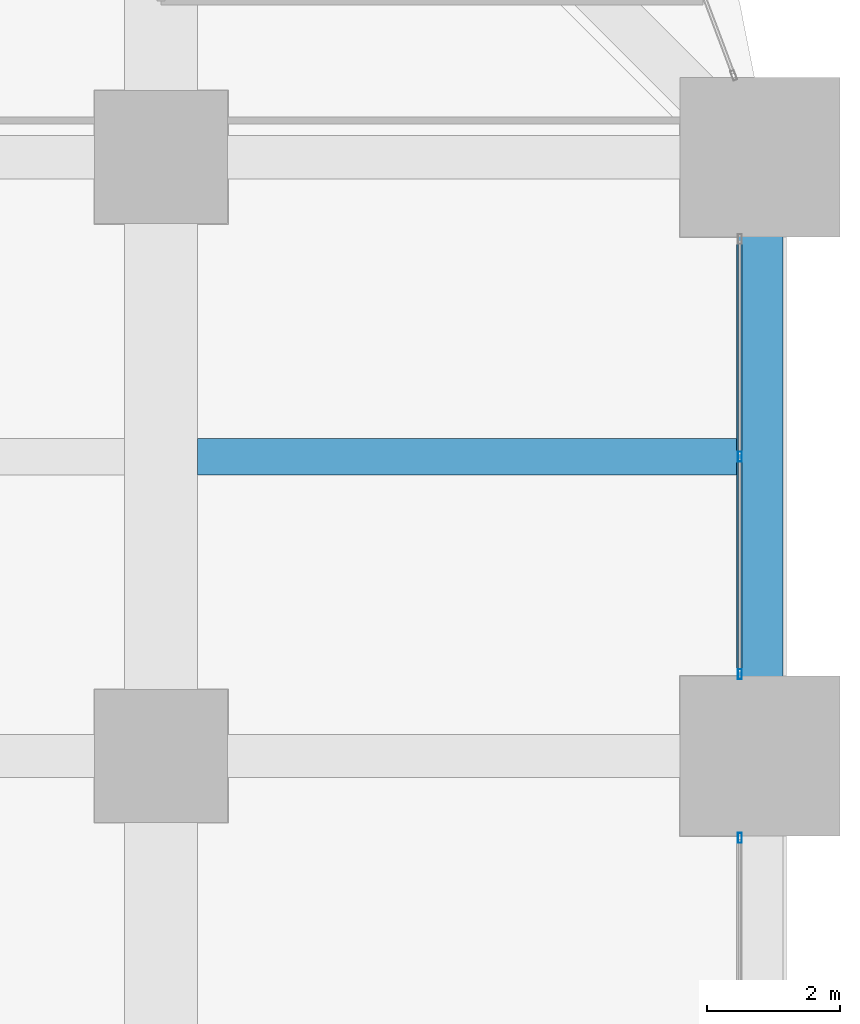
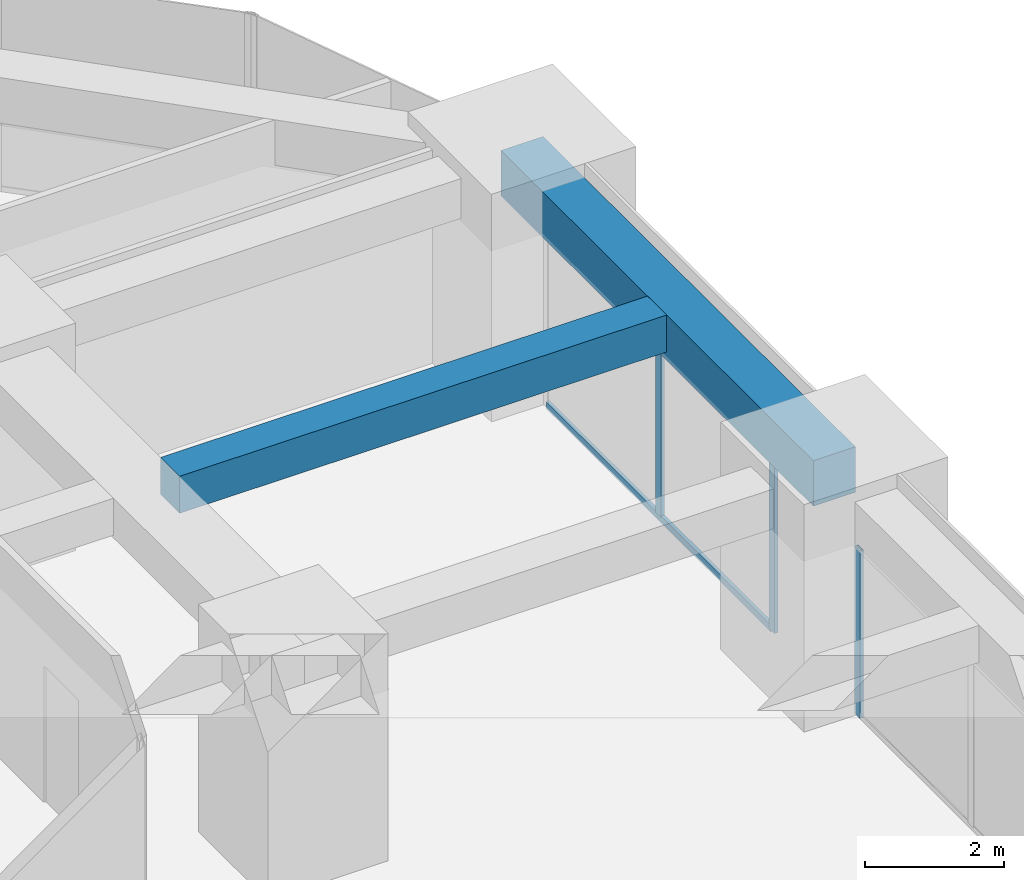
# One storey, part 23 of 41: 4 members, 2 beams, 2 elements without a shape of their own.
"""IFC4 building model written with IfcOpenShell, lengths in metres."""

import ifcopenshell
import ifcopenshell.guid

model = None  # the IFC model being written
_history = None  # IfcOwnerHistory: only IFC2X3 demands one
_inside = {}  # id of a spatial element -> (the spatial element, [elements in it])
_under = {}  # id of a project, library or spatial element -> (it, [spatial elements below it])
_declared = {}  # id of a project -> (the project, [libraries it declares])
_typed = {}  # id of a type object -> (the type object, [elements of that type])
_made_of = {}  # id of a material, layer set ... -> (it, [elements and type objects made of it])


def new_model(schema):
    """Start an empty IFC model of exactly this schema.

    Asked for "IFC4X3", IfcOpenShell would pick the latest addendum, in which some entities
    have other attributes; the version numbers below select the first issue.
    IFC2X3 requires an IfcOwnerHistory on every rooted entity: one is made here for all.
    """
    global model, _history
    if schema == "IFC4X3":
        model = ifcopenshell.file(schema_version=(4, 3, 0, 0))
    else:
        model = ifcopenshell.file(schema=schema)
    _inside.clear()
    _under.clear()
    _declared.clear()
    _typed.clear()
    _made_of.clear()
    _history = None
    if model.schema == "IFC2X3":
        org = make("IfcOrganization", Name="unknown")
        user = make(
            "IfcPersonAndOrganization",
            ThePerson=make("IfcPerson", FamilyName="unknown"),
            TheOrganization=org,
        )
        app = make(
            "IfcApplication",
            ApplicationDeveloper=org,
            Version="unknown",
            ApplicationFullName="unknown",
            ApplicationIdentifier="unknown",
        )
        _history = make(
            "IfcOwnerHistory",
            OwningUser=user,
            OwningApplication=app,
            ChangeAction="ADDED",
            CreationDate=0,
        )
    return model


def make(cls, **values):
    """One entity of the class cls with the attributes given. An attribute that is None is left unset."""
    return model.create_entity(
        cls, **{name: value for name, value in values.items() if value is not None}
    )


def rooted(cls, **values):
    """An entity with a GlobalId (a new one), such as an element, a storey or a relation."""
    return make(cls, GlobalId=ifcopenshell.guid.new(), OwnerHistory=_history, **values)


def si_unit(unit_type, name, prefix=None):
    """IfcSIUnit, for example si_unit("LENGTHUNIT", "METRE", prefix="MILLI")."""
    return make("IfcSIUnit", UnitType=unit_type, Prefix=prefix, Name=name)


def assignment(units):
    """IfcUnitAssignment: the units of a project."""
    return None if units is None else make("IfcUnitAssignment", Units=units)


def point(xyz):
    """IfcCartesianPoint."""
    return None if xyz is None else make("IfcCartesianPoint", Coordinates=xyz)


def direction(xyz):
    """IfcDirection."""
    return None if xyz is None else make("IfcDirection", DirectionRatios=xyz)


def frame(location, z_axis=None, x_axis=None):
    """IfcAxis2Placement3D, a coordinate frame: its origin and axes. An axis left out is left unset."""
    return make(
        "IfcAxis2Placement3D",
        Location=point(location),
        Axis=direction(z_axis),
        RefDirection=direction(x_axis),
    )


def frame_2d(location, x_axis=None):
    """IfcAxis2Placement2D, a coordinate frame in the plane: its origin and x axis."""
    return make(
        "IfcAxis2Placement2D", Location=point(location), RefDirection=direction(x_axis)
    )


def origin():
    """The frame at (0, 0, 0) with its axes left unset."""
    return frame((0.0, 0.0, 0.0))


def origin_2d():
    """The frame at (0, 0) in the plane with its x axis left unset."""
    return frame_2d((0.0, 0.0))


def place(relative_to, where):
    """IfcLocalPlacement: puts the frame where relative to a parent placement (None: the world)."""
    return make(
        "IfcLocalPlacement", PlacementRelTo=relative_to, RelativePlacement=where
    )


def context(
    kind, dimensions, precision=None, world=None, true_north=None, identifier=None
):
    """IfcGeometricRepresentationContext, for example the 3D "Model" context."""
    return make(
        "IfcGeometricRepresentationContext",
        ContextIdentifier=identifier,
        ContextType=kind,
        CoordinateSpaceDimension=dimensions,
        Precision=precision,
        WorldCoordinateSystem=world,
        TrueNorth=true_north,
    )


def subcontext(parent, identifier, kind, view, scale=None):
    """IfcGeometricRepresentationSubContext, for example "Body" below "Model"."""
    return make(
        "IfcGeometricRepresentationSubContext",
        ContextIdentifier=identifier,
        ContextType=kind,
        ParentContext=parent,
        TargetScale=scale,
        TargetView=view,
    )


def project(units=None, contexts=None):
    """IfcProject with its units and contexts."""
    return rooted(
        "IfcProject",
        Name="project",
        RepresentationContexts=contexts,
        UnitsInContext=assignment(units),
    )


def spatial(cls, under=None, at=None, **own):
    """A site, building, storey or space (cls), placed at a placement, below another one or the project."""
    s = rooted(cls, ObjectPlacement=at, **own)
    if under is not None:
        _under.setdefault(under.id(), (under, []))[1].append(s)
    return s


def profile(cls, at=None, kind="AREA", **sizes):
    """A parametric profile (cls). Its sizes go by their IFC names, for example OverallWidth=200.0."""
    return make(cls, ProfileType=kind, Position=at, **sizes)


def rectangle(**sizes):
    """IfcRectangleProfileDef."""
    return profile("IfcRectangleProfileDef", **sizes)


def hollow_rectangle(**sizes):
    """IfcRectangleHollowProfileDef."""
    return profile("IfcRectangleHollowProfileDef", **sizes)


def extrude(swept, where, along, depth):
    """IfcExtrudedAreaSolid: the profile swept, set in the frame where, extruded along a direction by depth."""
    return make(
        "IfcExtrudedAreaSolid",
        SweptArea=swept,
        Position=where,
        ExtrudedDirection=direction(along),
        Depth=depth,
    )


def shape(context_of_items, identifier, shape_type, items):
    """IfcShapeRepresentation: the items that make up one representation, for example the "Body"."""
    return make(
        "IfcShapeRepresentation",
        ContextOfItems=context_of_items,
        RepresentationIdentifier=identifier,
        RepresentationType=shape_type,
        Items=items,
    )


def material(Name=None, Category=None):
    """IfcMaterial."""
    return make("IfcMaterial", Name=Name, Category=Category)


def material_profile(
    of_material, cross_section, Name=None, Category=None, Priority=None
):
    """IfcMaterialProfile: a cross section and its material."""
    return make(
        "IfcMaterialProfile",
        Name=Name,
        Material=of_material,
        Profile=cross_section,
        Priority=Priority,
        Category=Category,
    )


def profile_set(profiles, Name=None, composite=None):
    """IfcMaterialProfileSet."""
    return make(
        "IfcMaterialProfileSet",
        Name=Name,
        MaterialProfiles=profiles,
        CompositeProfile=composite,
    )


def made_of(thing, what):
    """Note that an element or type object is made of a material, layer set ...; save() writes the relation."""
    if what is not None:
        _made_of.setdefault(what.id(), (what, []))[1].append(thing)
    return thing


def type_object(cls, material=None, **own):
    """A type object (cls), such as IfcWallType, which elements share."""
    return made_of(rooted(cls, **own), material)


def element(
    cls,
    number,
    at=None,
    inside=None,
    cuts=None,
    type_object=None,
    material=None,
    context=None,
    identifier="Body",
    shape_type=None,
    held_by="IfcProductDefinitionShape",
    body=None,
    shapes=None,
    **own,
):
    """One element of the class cls, such as IfcWall. Its Tag is "e" and its number.

    at: its placement. inside: the storey or other place that contains it. cuts: it is an
    opening in that element (IfcRelVoidsElement). A single representation is given by context,
    identifier, shape_type and body (its items); several are given by shapes. held_by: the class
    of the entity that holds the representations. save() writes the other relations.
    """
    e = rooted(cls, Tag="e%d" % number, ObjectPlacement=at, **own)
    if body is not None:
        shapes = [shape(context, identifier, shape_type, body)]
    if shapes is not None:
        e.Representation = make(held_by, Representations=shapes)
    if inside is not None:
        _inside.setdefault(inside.id(), (inside, []))[1].append(e)
    if cuts is not None:
        rooted(
            "IfcRelVoidsElement", RelatingBuildingElement=cuts, RelatedOpeningElement=e
        )
    if type_object is not None:
        _typed.setdefault(type_object.id(), (type_object, []))[1].append(e)
    return made_of(e, material)


def aggregate(whole, parts):
    """IfcRelAggregates: a whole, such as a stair, and the parts it consists of."""
    return rooted("IfcRelAggregates", RelatingObject=whole, RelatedObjects=parts)


def save(model, path):
    """Write the relations noted so far, then the file.

    IfcRelAggregates (storeys below a building ...), IfcRelContainedInSpatialStructure (elements
    in a storey), IfcRelDefinesByType, IfcRelAssociatesMaterial and IfcRelDeclares: one each for
    every whole, place, type object, material and project.
    """
    for whole, parts in _under.values():
        aggregate(whole, parts)
    for where, things in _inside.values():
        rooted(
            "IfcRelContainedInSpatialStructure",
            RelatedElements=things,
            RelatingStructure=where,
        )
    for kind, things in _typed.values():
        rooted("IfcRelDefinesByType", RelatedObjects=things, RelatingType=kind)
    for what, things in _made_of.values():
        rooted("IfcRelAssociatesMaterial", RelatedObjects=things, RelatingMaterial=what)
    for by, libraries in _declared.values():
        rooted("IfcRelDeclares", RelatingContext=by, RelatedDefinitions=libraries)
    model.write(path)


model = new_model("IFC4")

# Units and contexts
model_context = context("Model", 3, precision=1e-05, world=origin(), true_north=direction((0.0, 1.0)))
body_context = subcontext(model_context, "Body", "Model", "MODEL_VIEW")
ifc_project = project(units=[si_unit("LENGTHUNIT", "METRE"), si_unit("AREAUNIT", "SQUARE_METRE"), si_unit("VOLUMEUNIT", "CUBIC_METRE"), si_unit("PLANEANGLEUNIT", "RADIAN"), si_unit("MASSUNIT", "GRAM", prefix="KILO")], contexts=[model_context])

# Site, building, storey
site_placement = place(None, origin())
site = spatial("IfcSite", under=ifc_project, at=site_placement, CompositionType="ELEMENT")
building_placement = place(site_placement, origin())
building = spatial("IfcBuilding", under=site, at=building_placement, Name="Zorevar Civic Tower", CompositionType="ELEMENT")
storey_placement = place(building_placement, frame((0.0, 0.0, 101.0)))
storey = spatial("IfcBuildingStorey", under=building, at=storey_placement, Name="L24", CompositionType="ELEMENT", Elevation=101.0)

# Beam
ifc_material_1 = material(Name="Concrete C50/60", Category="concrete")
ifc_material_profile_1 = material_profile(ifc_material_1, rectangle(XDim=0.550048828125, YDim=0.64990234375, at=origin_2d()), Name="RC 550x650")
ifc_profile_set_1 = profile_set([ifc_material_profile_1], Name="Concrete C50/60")
beam_type_1 = type_object("IfcBeamType", Name="Beam RC 550x650", PredefinedType="BEAM", material=ifc_profile_set_1)
beam_1_placement = place(storey_placement, frame((54.550048828125, 31.5, 3.425048828125), z_axis=(1.0, 0.0, 0.0), x_axis=(0.0, 1.0, 0.0)))
element("IfcBeam", 1, at=beam_1_placement, inside=storey, type_object=beam_type_1, Name="Secondary beam L25", PredefinedType="BEAM", context=body_context, shape_type="SweptSolid", body=[
    extrude(rectangle(XDim=0.550048828125, YDim=0.64990234375, at=origin_2d()), origin(), (0.0, 0.0, 1.0), 8.099853515625),
])

# Curtain wall, member
ifc_material_2 = material(Name="Dark grey solar-control glass in black aluminium frame", Category="aluminium")
curtain_wall_type = type_object("IfcCurtainWallType", Name="Curtain wall CW3 mid zone", PredefinedType="NOTDEFINED", material=ifc_material_2)
curtain_wall_1_placement = place(storey_placement, origin())
curtain_wall_1 = element("IfcCurtainWall", 2, at=curtain_wall_1_placement, inside=storey, type_object=curtain_wall_type, Name="CW3 L24", PredefinedType="NOTDEFINED")
ifc_material_3 = material(Name="Aluminium, black anodised", Category="aluminium")
ifc_material_profile_2 = material_profile(ifc_material_3, hollow_rectangle(XDim=0.06005859375, YDim=0.14990234375, WallThickness=0.00390625, at=origin_2d()), Name="AL 150x60x4")
ifc_profile_set_2 = profile_set([ifc_material_profile_2], Name="Aluminium, black anodised")
member_type_1 = type_object("IfcMemberType", Name="CW3 mullion AL 150x60x4", PredefinedType="MULLION", material=ifc_profile_set_2)
member_1_placement = place(storey_placement, frame((62.699951171875, 25.77001953125, 0.0), z_axis=(0.0, 0.0, 1.0), x_axis=(-1.0, 0.0, 0.0)))
member_1 = element("IfcMember", 3, at=member_1_placement, type_object=member_type_1, Name="CW3 mullion 3", PredefinedType="MULLION", context=body_context, shape_type="SweptSolid", body=[
    extrude(hollow_rectangle(XDim=0.06005859375, YDim=0.14990234375, WallThickness=0.00390625, at=origin_2d()), origin(), (0.0, 0.0, 1.0), 2.949951171875),
])
aggregate(curtain_wall_1, [member_1])

# Curtain wall, members
curtain_wall_2_placement = place(storey_placement, origin())
curtain_wall_2 = element("IfcCurtainWall", 4, at=curtain_wall_2_placement, inside=storey, type_object=curtain_wall_type, Name="CW3 L24", PredefinedType="NOTDEFINED")
member_2_placement = place(storey_placement, frame((62.699951171875, 28.22998046875, 0.0), z_axis=(0.0, 0.0, 1.0), x_axis=(-1.0, 0.0, 0.0)))
member_2 = element("IfcMember", 5, at=member_2_placement, type_object=member_type_1, Name="CW3 mullion 1", PredefinedType="MULLION", context=body_context, shape_type="SweptSolid", body=[
    extrude(hollow_rectangle(XDim=0.06005859375, YDim=0.14990234375, WallThickness=0.00390625, at=origin_2d()), origin(), (0.0, 0.0, 1.0), 2.949951171875),
])
member_3_placement = place(storey_placement, frame((62.699951171875, 31.5, 0.06005859375), z_axis=(0.0, 0.0, 1.0), x_axis=(-1.0, 0.0, 0.0)))
member_3 = element("IfcMember", 6, at=member_3_placement, type_object=member_type_1, Name="CW3 mullion 2", PredefinedType="MULLION", context=body_context, shape_type="SweptSolid", body=[
    extrude(hollow_rectangle(XDim=0.06005859375, YDim=0.14990234375, WallThickness=0.00390625, at=origin_2d()), origin(), (0.0, 0.0, 1.0), 2.889892578125),
])
ifc_material_4 = material(Name="Aluminium, black anodised", Category="aluminium")
ifc_material_profile_3 = material_profile(ifc_material_4, hollow_rectangle(XDim=0.06005859375, YDim=0.1201171875, WallThickness=0.0029296875, at=origin_2d()), Name="AL 120x60x3")
ifc_profile_set_3 = profile_set([ifc_material_profile_3], Name="Aluminium, black anodised")
member_type_2 = type_object("IfcMemberType", Name="CW3 transom AL 120x60x3", PredefinedType="USERDEFINED", material=ifc_profile_set_3)
member_4_placement = place(storey_placement, frame((62.699951171875, 28.260009765625, 0.030029296875), z_axis=(0.0, 1.0, 0.0), x_axis=(-1.0, 0.0, 0.0)))
member_4 = element("IfcMember", 7, at=member_4_placement, type_object=member_type_2, Name="CW3 sill transom", ObjectType="TRANSOM", PredefinedType="USERDEFINED", context=body_context, shape_type="SweptSolid", body=[
    extrude(hollow_rectangle(XDim=0.06005859375, YDim=0.1201171875, WallThickness=0.0029296875, at=origin_2d()), origin(), (0.0, 0.0, 1.0), 6.47998046875),
])
aggregate(curtain_wall_2, [member_2, member_3, member_4])

# Beam
ifc_material_5 = material(Name="Concrete C50/60", Category="concrete")
ifc_material_profile_4 = material_profile(ifc_material_5, rectangle(XDim=0.699951171875, YDim=0.800048828125, at=origin_2d()), Name="RC 700x800")
ifc_profile_set_4 = profile_set([ifc_material_profile_4], Name="Concrete C50/60")
beam_type_2 = type_object("IfcBeamType", Name="Edge beam RC 700x800", PredefinedType="SPANDREL", material=ifc_profile_set_4)
beam_2_placement = place(storey_placement, frame((63.0, 27.0, 3.35009765625), z_axis=(0.0, 1.0, 0.0), x_axis=(-1.0, 0.0, 0.0)))
element("IfcBeam", 8, at=beam_2_placement, inside=storey, type_object=beam_type_2, Name="Edge beam L25", PredefinedType="SPANDREL", context=body_context, shape_type="SweptSolid", body=[
    extrude(rectangle(XDim=0.699951171875, YDim=0.800048828125, at=origin_2d()), origin(), (0.0, 0.0, 1.0), 9.0),
])

save(model, "model.ifc")
